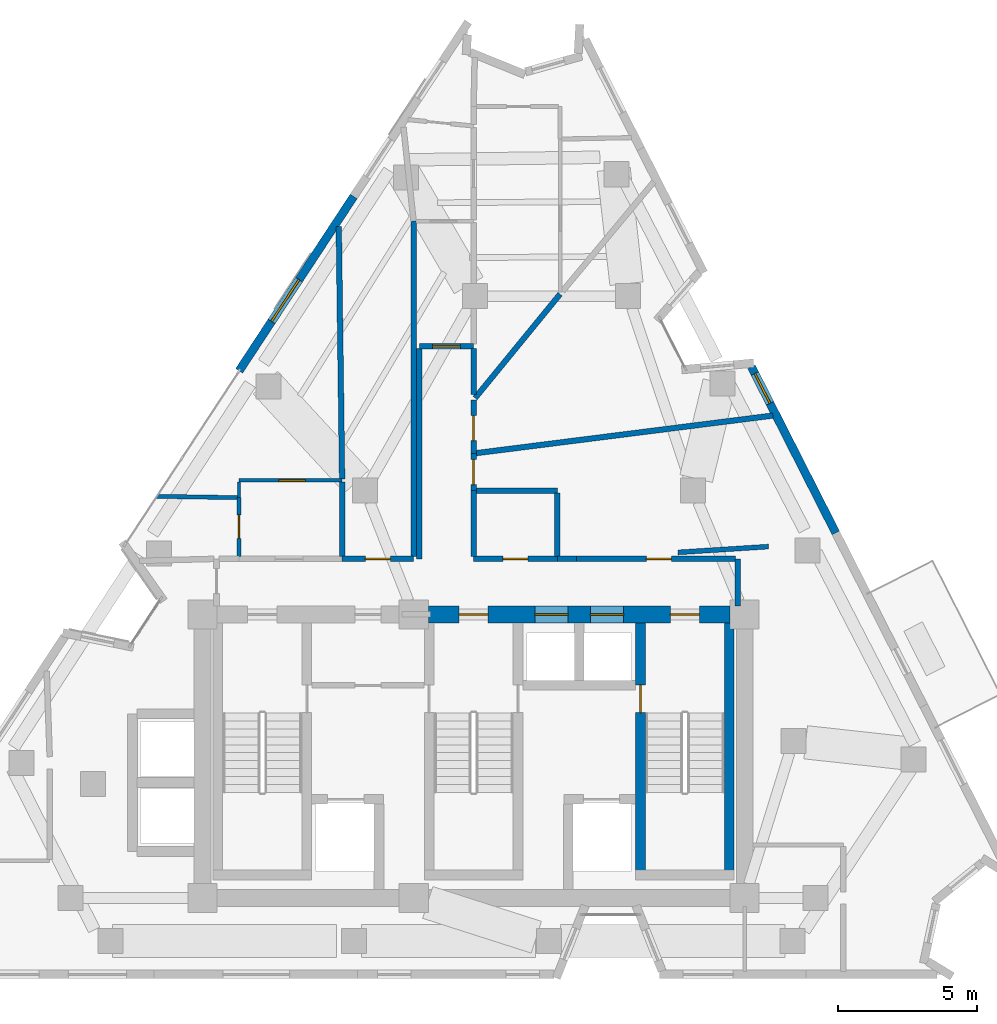
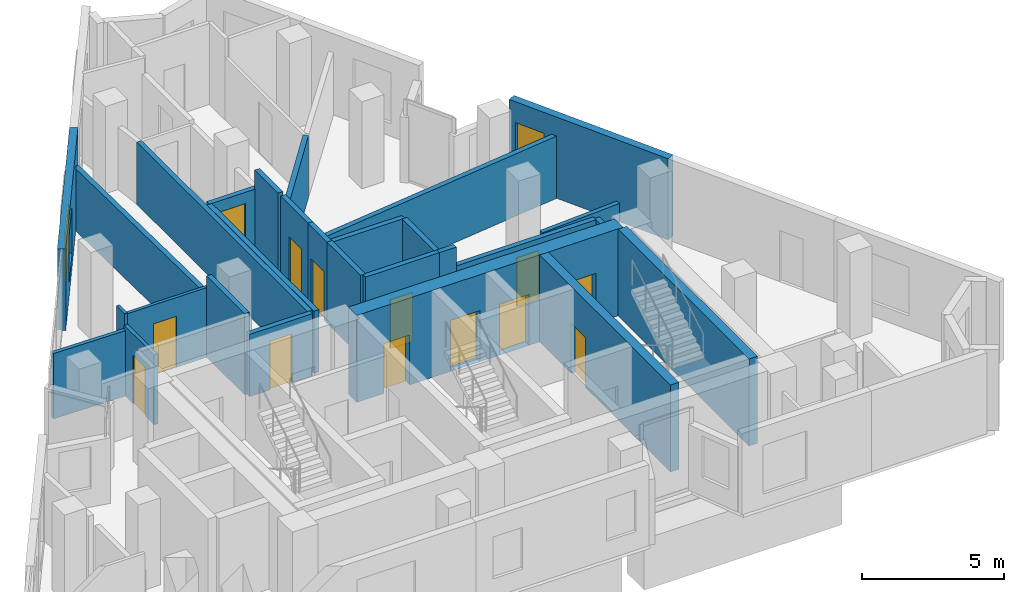
# One storey, part 6 of 10: 28 walls, 13 doors, 2 windows, 15 openings.
"""IFC4 building model written with IfcOpenShell, lengths in metres."""

import ifcopenshell
import ifcopenshell.guid

model = None  # the IFC model being written
_history = None  # IfcOwnerHistory: only IFC2X3 demands one
_inside = {}  # id of a spatial element -> (the spatial element, [elements in it])
_under = {}  # id of a project, library or spatial element -> (it, [spatial elements below it])
_declared = {}  # id of a project -> (the project, [libraries it declares])
_typed = {}  # id of a type object -> (the type object, [elements of that type])
_made_of = {}  # id of a material, layer set ... -> (it, [elements and type objects made of it])


def new_model(schema):
    """Start an empty IFC model of exactly this schema.

    Asked for "IFC4X3", IfcOpenShell would pick the latest addendum, in which some entities
    have other attributes; the version numbers below select the first issue.
    IFC2X3 requires an IfcOwnerHistory on every rooted entity: one is made here for all.
    """
    global model, _history
    if schema == "IFC4X3":
        model = ifcopenshell.file(schema_version=(4, 3, 0, 0))
    else:
        model = ifcopenshell.file(schema=schema)
    _inside.clear()
    _under.clear()
    _declared.clear()
    _typed.clear()
    _made_of.clear()
    _history = None
    if model.schema == "IFC2X3":
        org = make("IfcOrganization", Name="unknown")
        user = make(
            "IfcPersonAndOrganization",
            ThePerson=make("IfcPerson", FamilyName="unknown"),
            TheOrganization=org,
        )
        app = make(
            "IfcApplication",
            ApplicationDeveloper=org,
            Version="unknown",
            ApplicationFullName="unknown",
            ApplicationIdentifier="unknown",
        )
        _history = make(
            "IfcOwnerHistory",
            OwningUser=user,
            OwningApplication=app,
            ChangeAction="ADDED",
            CreationDate=0,
        )
    return model


def make(cls, **values):
    """One entity of the class cls with the attributes given. An attribute that is None is left unset."""
    return model.create_entity(
        cls, **{name: value for name, value in values.items() if value is not None}
    )


def rooted(cls, **values):
    """An entity with a GlobalId (a new one), such as an element, a storey or a relation."""
    return make(cls, GlobalId=ifcopenshell.guid.new(), OwnerHistory=_history, **values)


def si_unit(unit_type, name, prefix=None):
    """IfcSIUnit, for example si_unit("LENGTHUNIT", "METRE", prefix="MILLI")."""
    return make("IfcSIUnit", UnitType=unit_type, Prefix=prefix, Name=name)


def assignment(units):
    """IfcUnitAssignment: the units of a project."""
    return None if units is None else make("IfcUnitAssignment", Units=units)


def point(xyz):
    """IfcCartesianPoint."""
    return None if xyz is None else make("IfcCartesianPoint", Coordinates=xyz)


def direction(xyz):
    """IfcDirection."""
    return None if xyz is None else make("IfcDirection", DirectionRatios=xyz)


def frame(location, z_axis=None, x_axis=None):
    """IfcAxis2Placement3D, a coordinate frame: its origin and axes. An axis left out is left unset."""
    return make(
        "IfcAxis2Placement3D",
        Location=point(location),
        Axis=direction(z_axis),
        RefDirection=direction(x_axis),
    )


def frame_2d(location, x_axis=None):
    """IfcAxis2Placement2D, a coordinate frame in the plane: its origin and x axis."""
    return make(
        "IfcAxis2Placement2D", Location=point(location), RefDirection=direction(x_axis)
    )


def origin():
    """The frame at (0, 0, 0) with its axes left unset."""
    return frame((0.0, 0.0, 0.0))


def place(relative_to, where):
    """IfcLocalPlacement: puts the frame where relative to a parent placement (None: the world)."""
    return make(
        "IfcLocalPlacement", PlacementRelTo=relative_to, RelativePlacement=where
    )


def context(
    kind, dimensions, precision=None, world=None, true_north=None, identifier=None
):
    """IfcGeometricRepresentationContext, for example the 3D "Model" context."""
    return make(
        "IfcGeometricRepresentationContext",
        ContextIdentifier=identifier,
        ContextType=kind,
        CoordinateSpaceDimension=dimensions,
        Precision=precision,
        WorldCoordinateSystem=world,
        TrueNorth=true_north,
    )


def subcontext(parent, identifier, kind, view, scale=None):
    """IfcGeometricRepresentationSubContext, for example "Body" below "Model"."""
    return make(
        "IfcGeometricRepresentationSubContext",
        ContextIdentifier=identifier,
        ContextType=kind,
        ParentContext=parent,
        TargetScale=scale,
        TargetView=view,
    )


def project(units=None, contexts=None):
    """IfcProject with its units and contexts."""
    return rooted(
        "IfcProject",
        Name="project",
        RepresentationContexts=contexts,
        UnitsInContext=assignment(units),
    )


def spatial(cls, under=None, at=None, **own):
    """A site, building, storey or space (cls), placed at a placement, below another one or the project."""
    s = rooted(cls, ObjectPlacement=at, **own)
    if under is not None:
        _under.setdefault(under.id(), (under, []))[1].append(s)
    return s


def profile(cls, at=None, kind="AREA", **sizes):
    """A parametric profile (cls). Its sizes go by their IFC names, for example OverallWidth=200.0."""
    return make(cls, ProfileType=kind, Position=at, **sizes)


def rectangle(**sizes):
    """IfcRectangleProfileDef."""
    return profile("IfcRectangleProfileDef", **sizes)


def extrude(swept, where, along, depth):
    """IfcExtrudedAreaSolid: the profile swept, set in the frame where, extruded along a direction by depth."""
    return make(
        "IfcExtrudedAreaSolid",
        SweptArea=swept,
        Position=where,
        ExtrudedDirection=direction(along),
        Depth=depth,
    )


def shape(context_of_items, identifier, shape_type, items):
    """IfcShapeRepresentation: the items that make up one representation, for example the "Body"."""
    return make(
        "IfcShapeRepresentation",
        ContextOfItems=context_of_items,
        RepresentationIdentifier=identifier,
        RepresentationType=shape_type,
        Items=items,
    )


def material(Name=None, Category=None):
    """IfcMaterial."""
    return make("IfcMaterial", Name=Name, Category=Category)


def layer(
    of_material, thickness, ventilated=None, Name=None, Category=None, Priority=None
):
    """IfcMaterialLayer: one layer of a wall or slab, of a material (None: an air gap)."""
    return make(
        "IfcMaterialLayer",
        Material=of_material,
        LayerThickness=thickness,
        IsVentilated=ventilated,
        Name=Name,
        Category=Category,
        Priority=Priority,
    )


def layer_set(layers, Name=None):
    """IfcMaterialLayerSet."""
    return make("IfcMaterialLayerSet", MaterialLayers=layers, LayerSetName=Name)


def made_of(thing, what):
    """Note that an element or type object is made of a material, layer set ...; save() writes the relation."""
    if what is not None:
        _made_of.setdefault(what.id(), (what, []))[1].append(thing)
    return thing


def type_object(cls, material=None, **own):
    """A type object (cls), such as IfcWallType, which elements share."""
    return made_of(rooted(cls, **own), material)


def element(
    cls,
    number,
    at=None,
    inside=None,
    cuts=None,
    type_object=None,
    material=None,
    context=None,
    identifier="Body",
    shape_type=None,
    held_by="IfcProductDefinitionShape",
    body=None,
    shapes=None,
    **own,
):
    """One element of the class cls, such as IfcWall. Its Tag is "e" and its number.

    at: its placement. inside: the storey or other place that contains it. cuts: it is an
    opening in that element (IfcRelVoidsElement). A single representation is given by context,
    identifier, shape_type and body (its items); several are given by shapes. held_by: the class
    of the entity that holds the representations. save() writes the other relations.
    """
    e = rooted(cls, Tag="e%d" % number, ObjectPlacement=at, **own)
    if body is not None:
        shapes = [shape(context, identifier, shape_type, body)]
    if shapes is not None:
        e.Representation = make(held_by, Representations=shapes)
    if inside is not None:
        _inside.setdefault(inside.id(), (inside, []))[1].append(e)
    if cuts is not None:
        rooted(
            "IfcRelVoidsElement", RelatingBuildingElement=cuts, RelatedOpeningElement=e
        )
    if type_object is not None:
        _typed.setdefault(type_object.id(), (type_object, []))[1].append(e)
    return made_of(e, material)


def fill(opening, filler):
    """IfcRelFillsElement: the door or window that sits in an opening."""
    return rooted(
        "IfcRelFillsElement",
        RelatingOpeningElement=opening,
        RelatedBuildingElement=filler,
    )


def aggregate(whole, parts):
    """IfcRelAggregates: a whole, such as a stair, and the parts it consists of."""
    return rooted("IfcRelAggregates", RelatingObject=whole, RelatedObjects=parts)


def save(model, path):
    """Write the relations noted so far, then the file.

    IfcRelAggregates (storeys below a building ...), IfcRelContainedInSpatialStructure (elements
    in a storey), IfcRelDefinesByType, IfcRelAssociatesMaterial and IfcRelDeclares: one each for
    every whole, place, type object, material and project.
    """
    for whole, parts in _under.values():
        aggregate(whole, parts)
    for where, things in _inside.values():
        rooted(
            "IfcRelContainedInSpatialStructure",
            RelatedElements=things,
            RelatingStructure=where,
        )
    for kind, things in _typed.values():
        rooted("IfcRelDefinesByType", RelatedObjects=things, RelatingType=kind)
    for what, things in _made_of.values():
        rooted("IfcRelAssociatesMaterial", RelatedObjects=things, RelatingMaterial=what)
    for by, libraries in _declared.values():
        rooted("IfcRelDeclares", RelatingContext=by, RelatedDefinitions=libraries)
    model.write(path)


model = new_model("IFC4")

# Units and contexts
model_context = context("Model", 3, precision=1e-05, world=origin(), true_north=direction((0.0, 1.0)))
body_context = subcontext(model_context, "Body", "Model", "MODEL_VIEW")
ifc_project = project(units=[si_unit("LENGTHUNIT", "METRE"), si_unit("AREAUNIT", "SQUARE_METRE"), si_unit("VOLUMEUNIT", "CUBIC_METRE"), si_unit("PLANEANGLEUNIT", "RADIAN"), si_unit("MASSUNIT", "GRAM", prefix="KILO")], contexts=[model_context])

# Site, building, storey
site_placement = place(None, origin())
site = spatial("IfcSite", under=ifc_project, at=site_placement, CompositionType="ELEMENT")
building_placement = place(site_placement, origin())
building = spatial("IfcBuilding", under=site, at=building_placement, Name="Almagre Mirador Tower", CompositionType="ELEMENT")
storey_placement = place(building_placement, frame((0.0, 0.0, 229.5)))
storey = spatial("IfcBuildingStorey", under=building, at=storey_placement, Name="L59", CompositionType="ELEMENT", Elevation=229.5)

# Wall, opening, window
ifc_material_1 = material(Name="Precast concrete C50/60", Category="concrete")
ifc_layer_1 = layer(ifc_material_1, 0.300048828125)
ifc_layer_set_1 = layer_set([ifc_layer_1], Name="Precast concrete C50/60")
wall_type_1 = type_object("IfcWallType", Name="WAL-EXT-300", PredefinedType="SOLIDWALL", material=ifc_layer_set_1)
wall_1_placement = place(storey_placement, frame((28.864013671875, 23.513671875, 0.0), z_axis=(0.0, 0.0, 1.0), x_axis=(0.549033751048, 0.835800179595, 0.0)))
wall_1 = element("IfcWall", 1, at=wall_1_placement, inside=storey, type_object=wall_type_1, Name="L59 expressed almagre precast frame wall 03", PredefinedType="SOLIDWALL", context=body_context, shape_type="SweptSolid", body=[
    extrude(rectangle(XDim=7.50390625, YDim=0.300048828125, at=frame_2d((3.751953125, 0.0))), origin(), (0.0, 0.0, 1.0), 3.5),
])
opening_1_placement = place(wall_1_placement, frame((2.125, 0.0, 0.60009765625)))
opening_1 = element("IfcOpeningElement", 2, at=opening_1_placement, cuts=wall_1, Name="Opening WN-01", PredefinedType="OPENING", context=body_context, shape_type="SweptSolid", body=[
    extrude(rectangle(XDim=1.800048828125, YDim=2.10009765625, at=frame_2d((0.89990234375, 1.050048828125))), frame((0.0, 0.159902, 0.0), z_axis=(0.0, -1.0, 0.0), x_axis=(1.0, 0.0, 0.0)), (0.0, 0.0, 1.0), 0.320049),
])
ifc_material_2 = material(Name="Dark solar-control laminated hurricane glass", Category="glass")
window_type_1 = type_object("IfcWindowType", Name="WIN-1800X2100", PartitioningType="DOUBLE_PANEL_VERTICAL", PredefinedType="WINDOW", material=ifc_material_2)
window_1_placement = place(opening_1_placement, origin())
window_1 = element("IfcWindow", 3, at=window_1_placement, inside=storey, type_object=window_type_1, Name="L59 recessed hurricane window L59-UF-KT", OverallHeight=2.10009765625, OverallWidth=1.800048828125, PartitioningType="SINGLE_PANEL", PredefinedType="WINDOW", context=body_context, shape_type="SweptSolid", body=[
    extrude(rectangle(XDim=1.800048828125, YDim=2.10009765625, at=frame_2d((0.89990234375, 1.050048828125))), frame((0.0, 0.030029296875, 0.0), z_axis=(0.0, -1.0, 0.0), x_axis=(1.0, 0.0, 0.0)), (0.0, 0.0, 1.0), 0.06005859375),
])
fill(opening_1, window_1)

wall_2_placement = place(storey_placement, frame((47.29736328125, 23.65625, 0.0), z_axis=(0.0, 0.0, 1.0), x_axis=(0.452876034441, -0.891573495248, 0.0)))
wall_2 = element("IfcWall", 4, at=wall_2_placement, inside=storey, type_object=wall_type_1, Name="L59 expressed almagre precast frame wall 13", PredefinedType="SOLIDWALL", context=body_context, shape_type="SweptSolid", body=[
    extrude(rectangle(XDim=6.6982421875, YDim=0.300048828125, at=frame_2d((3.34912109375, 0.0))), origin(), (0.0, 0.0, 1.0), 3.5),
])
opening_2_placement = place(wall_2_placement, frame((0.27001953125, 0.0, 0.800048828125)))
opening_2 = element("IfcOpeningElement", 5, at=opening_2_placement, cuts=wall_2, Name="Opening WN-04", PredefinedType="OPENING", context=body_context, shape_type="SweptSolid", body=[
    extrude(rectangle(XDim=1.199951171875, YDim=1.800048828125, at=frame_2d((0.60009765625, 0.89990234375))), frame((0.0, 0.159902, 0.0), z_axis=(0.0, -1.0, 0.0), x_axis=(1.0, 0.0, 0.0)), (0.0, 0.0, 1.0), 0.320049),
])
ifc_material_3 = material(Name="Dark solar-control laminated hurricane glass", Category="glass")
window_type_2 = type_object("IfcWindowType", Name="WIN-1200X1800", PartitioningType="SINGLE_PANEL", PredefinedType="WINDOW", material=ifc_material_3)
window_2_placement = place(opening_2_placement, origin())
window_2 = element("IfcWindow", 6, at=window_2_placement, inside=storey, type_object=window_type_2, Name="L59 recessed hurricane window L59-RST-J", OverallHeight=1.800048828125, OverallWidth=1.199951171875, PartitioningType="SINGLE_PANEL", PredefinedType="WINDOW", context=body_context, shape_type="SweptSolid", body=[
    extrude(rectangle(XDim=1.199951171875, YDim=1.800048828125, at=frame_2d((0.60009765625, 0.89990234375))), frame((0.0, 0.030029296875, 0.0), z_axis=(0.0, -1.0, 0.0), x_axis=(1.0, 0.0, 0.0)), (0.0, 0.0, 1.0), 0.06005859375),
])
fill(opening_2, window_2)

# Wall, opening, door
ifc_material_4 = material(Name="Gypsum acoustic stud partition", Category="other")
ifc_layer_2 = layer(ifc_material_4, 0.125)
ifc_layer_set_2 = layer_set([ifc_layer_2], Name="Gypsum acoustic stud partition")
wall_type_2 = type_object("IfcWallType", Name="WAL-PRT-125-UTL", PredefinedType="PARTITIONING", material=ifc_layer_set_2)
wall_3_placement = place(storey_placement, frame((32.570068359375, 19.570068359375, 0.0), z_axis=(0.0, 0.0, 1.0), x_axis=(-1.0, 0.0, 0.0)))
wall_3 = element("IfcWall", 7, at=wall_3_placement, inside=storey, type_object=wall_type_2, Name="L59 interior partition 033", PredefinedType="PARTITIONING", context=body_context, shape_type="SweptSolid", body=[
    extrude(rectangle(XDim=3.7099609375, YDim=0.125, at=frame_2d((1.85498046875, 0.0))), origin(), (0.0, 0.0, 1.0), 3.010009765625),
])
opening_3_placement = place(wall_3_placement, frame((1.321044921875, 0.0, 0.0)))
opening_3 = element("IfcOpeningElement", 8, at=opening_3_placement, cuts=wall_3, Name="Opening UD-01", PredefinedType="OPENING", context=body_context, shape_type="SweptSolid", body=[
    extrude(rectangle(XDim=0.949951171875, YDim=2.199951171875, at=frame_2d((0.47509765625, 1.10009765625))), frame((0.0, 0.0725, 0.0), z_axis=(0.0, -1.0, 0.0), x_axis=(1.0, 0.0, 0.0)), (0.0, 0.0, 1.0), 0.145),
])
ifc_material_5 = material(Name="Solid American walnut timber", Category="wood")
door_type_1 = type_object("IfcDoorType", Name="DOR-UNR-950X2200", OperationType="NOTDEFINED", PredefinedType="DOOR", material=ifc_material_5)
door_1_placement = place(opening_3_placement, origin())
door_1 = element("IfcDoor", 9, at=door_1_placement, inside=storey, type_object=door_type_1, Name="DR-1817 L59 interior door L59-UF-ST to L59-UF-KT", OperationType="SINGLE_SWING_RIGHT", OverallHeight=2.199951171875, OverallWidth=0.949951171875, PredefinedType="DOOR", context=body_context, shape_type="SweptSolid", body=[
    extrude(rectangle(XDim=0.949951171875, YDim=2.199951171875, at=frame_2d((0.47509765625, 1.10009765625))), frame((0.0, 0.02490234375, 0.0), z_axis=(0.0, -1.0, 0.0), x_axis=(1.0, 0.0, 0.0)), (0.0, 0.0, 1.0), 0.050048828125),
])
fill(opening_3, door_1)

# Wall
wall_4_placement = place(storey_placement, frame((28.860107421875, 19.5224609375, 0.0), z_axis=(0.0, 0.0, 1.0), x_axis=(0.0, -1.0, 0.0)))
element("IfcWall", 10, at=wall_4_placement, inside=storey, type_object=wall_type_2, Name="L59 interior partition 034", PredefinedType="PARTITIONING", context=body_context, shape_type="SweptSolid", body=[
    extrude(rectangle(XDim=0.572509765625, YDim=0.125, at=frame_2d((0.2861328125, 0.0))), origin(), (0.0, 0.0, 1.0), 3.5),
])

# Wall, opening, door
ifc_material_6 = material(Name="Gypsum acoustic stud partition", Category="other")
ifc_layer_3 = layer(ifc_material_6, 0.14990234375)
ifc_layer_set_3 = layer_set([ifc_layer_3], Name="Gypsum acoustic stud partition")
wall_type_3 = type_object("IfcWallType", Name="WAL-PRT-150-STD", PredefinedType="PARTITIONING", material=ifc_layer_set_3)
wall_5_placement = place(storey_placement, frame((28.860107421875, 18.949951171875, 0.0), z_axis=(0.0, 0.0, 1.0), x_axis=(0.0, -1.0, 0.0)))
wall_5 = element("IfcWall", 11, at=wall_5_placement, inside=storey, type_object=wall_type_3, Name="L59 interior partition 035", PredefinedType="PARTITIONING", context=body_context, shape_type="SweptSolid", body=[
    extrude(rectangle(XDim=2.114990234375, YDim=0.14990234375, at=frame_2d((1.0576171875, 0.0))), origin(), (0.0, 0.0, 1.0), 3.010009765625),
])
opening_4_placement = place(wall_5_placement, frame((0.615478515625, 0.0, 0.0)))
opening_4 = element("IfcOpeningElement", 12, at=opening_4_placement, cuts=wall_5, Name="Opening UD-04", PredefinedType="OPENING", context=body_context, shape_type="SweptSolid", body=[
    extrude(rectangle(XDim=0.85009765625, YDim=2.10009765625, at=frame_2d((0.425048828125, 1.050048828125))), frame((0.0, 0.084951, 0.0), z_axis=(0.0, -1.0, 0.0), x_axis=(1.0, 0.0, 0.0)), (0.0, 0.0, 1.0), 0.169902),
])
ifc_material_7 = material(Name="Moisture-resistant oak timber", Category="wood")
door_type_2 = type_object("IfcDoorType", Name="DOR-UNR-850X2100", OperationType="NOTDEFINED", PredefinedType="DOOR", material=ifc_material_7)
door_2_placement = place(opening_4_placement, origin())
door_2 = element("IfcDoor", 13, at=door_2_placement, inside=storey, type_object=door_type_2, Name="DR-1818 L59 interior door L59-UF-ST to L59-UF-BT", OperationType="SINGLE_SWING_LEFT", OverallHeight=2.10009765625, OverallWidth=0.85009765625, PredefinedType="DOOR", context=body_context, shape_type="SweptSolid", body=[
    extrude(rectangle(XDim=0.85009765625, YDim=2.10009765625, at=frame_2d((0.425048828125, 1.050048828125))), frame((0.0, 0.02490234375, 0.0), z_axis=(0.0, -1.0, 0.0), x_axis=(1.0, 0.0, 0.0)), (0.0, 0.0, 1.0), 0.050048828125),
])
fill(opening_4, door_2)

# Walls
wall_6_placement = place(storey_placement, frame((25.89697265625, 18.998046875, 0.0), z_axis=(0.0, 0.0, 1.0), x_axis=(0.999868073093, -0.016243041884, 0.0)))
element("IfcWall", 14, at=wall_6_placement, inside=storey, type_object=wall_type_3, Name="L59 interior partition 037", PredefinedType="PARTITIONING", context=body_context, shape_type="SweptSolid", body=[
    extrude(rectangle(XDim=2.916015625, YDim=0.14990234375, at=frame_2d((1.4580078125, 0.0))), origin(), (0.0, 0.0, 1.0), 2.820068359375),
])
ifc_material_8 = material(Name="Gypsum acoustic stud partition", Category="other")
ifc_layer_4 = layer(ifc_material_8, 0.175048828125)
ifc_layer_set_4 = layer_set([ifc_layer_4], Name="Gypsum acoustic stud partition")
wall_type_4 = type_object("IfcWallType", Name="WAL-PRT-175-AC", PredefinedType="PARTITIONING", material=ifc_layer_set_4)
wall_7_placement = place(storey_placement, frame((47.909912109375, 17.18994140625, 0.0), z_axis=(0.0, 0.0, 1.0), x_axis=(-0.997965437451, -0.063757240005, 0.0)))
element("IfcWall", 15, at=wall_7_placement, inside=storey, type_object=wall_type_4, Name="L59 interior partition 057", PredefinedType="PARTITIONING", context=body_context, shape_type="SweptSolid", body=[
    extrude(rectangle(XDim=3.262451171875, YDim=0.175048828125, at=frame_2d((1.63134765625, 0.0))), origin(), (0.0, 0.0, 1.0), 2.68505859375),
])
ifc_material_9 = material(Name="Gypsum acoustic stud partition", Category="other")
ifc_layer_5 = layer(ifc_material_9, 0.199951171875)
ifc_layer_set_5 = layer_set([ifc_layer_5], Name="Gypsum acoustic stud partition")
wall_type_5 = type_object("IfcWallType", Name="WAL-PRT-200-EI60", PredefinedType="PARTITIONING", material=ifc_layer_set_5)
wall_8_placement = place(storey_placement, frame((46.800048828125, 15.050048828125, 0.0), z_axis=(0.0, 0.0, 1.0), x_axis=(0.0, 1.0, 0.0)))
element("IfcWall", 16, at=wall_8_placement, inside=storey, type_object=wall_type_5, Name="L59 interior partition 002", PredefinedType="PARTITIONING", context=body_context, shape_type="SweptSolid", body=[
    extrude(rectangle(XDim=1.699951171875, YDim=0.199951171875, at=frame_2d((0.85009765625, 0.0))), origin(), (0.0, 0.0, 1.0), 2.68505859375),
])

# Wall, opening, door
wall_9_placement = place(storey_placement, frame((46.715087890625, 16.75, 0.0), z_axis=(0.0, 0.0, 1.0), x_axis=(-1.0, 0.0, 0.0)))
wall_9 = element("IfcWall", 17, at=wall_9_placement, inside=storey, type_object=wall_type_5, Name="L59 interior partition 003", PredefinedType="PARTITIONING", context=body_context, shape_type="SweptSolid", body=[
    extrude(rectangle(XDim=5.705078125, YDim=0.199951171875, at=frame_2d((2.8525390625, 0.0))), origin(), (0.0, 0.0, 1.0), 2.68505859375),
])
opening_5_placement = place(wall_9_placement, frame((2.30078125, 0.0, 0.0)))
opening_5 = element("IfcOpeningElement", 18, at=opening_5_placement, cuts=wall_9, Name="Opening ID-03", PredefinedType="OPENING", context=body_context, shape_type="SweptSolid", body=[
    extrude(rectangle(XDim=0.89990234375, YDim=2.10009765625, at=frame_2d((0.449951171875, 1.050048828125))), frame((0.0, 0.110098, 0.0), z_axis=(0.0, -1.0, 0.0), x_axis=(1.0, 0.0, 0.0)), (0.0, 0.0, 1.0), 0.219951),
])
ifc_material_10 = material(Name="Fire-rated hollow steel", Category="steel")
door_type_3 = type_object("IfcDoorType", Name="DOR-FD60-900X2100", OperationType="NOTDEFINED", PredefinedType="DOOR", material=ifc_material_10)
door_3_placement = place(opening_5_placement, origin())
door_3 = element("IfcDoor", 19, at=door_3_placement, inside=storey, type_object=door_type_3, Name="DR-1812 L59 interior door L59-RCOR to L59-RST-E", OperationType="SINGLE_SWING_LEFT", OverallHeight=2.10009765625, OverallWidth=0.89990234375, PredefinedType="DOOR", context=body_context, shape_type="SweptSolid", body=[
    extrude(rectangle(XDim=0.89990234375, YDim=2.10009765625, at=frame_2d((0.449951171875, 1.050048828125))), frame((0.0, 0.02490234375, 0.0), z_axis=(0.0, -1.0, 0.0), x_axis=(1.0, 0.0, 0.0)), (0.0, 0.0, 1.0), 0.050048828125),
])
fill(opening_5, door_3)

wall_10_placement = place(storey_placement, frame((40.31005859375, 16.75, 0.0), z_axis=(0.0, 0.0, 1.0), x_axis=(-1.0, 0.0, 0.0)))
wall_10 = element("IfcWall", 20, at=wall_10_placement, inside=storey, type_object=wall_type_5, Name="L59 interior partition 006", PredefinedType="PARTITIONING", context=body_context, shape_type="SweptSolid", body=[
    extrude(rectangle(XDim=3.010009765625, YDim=0.199951171875, at=frame_2d((1.5048828125, 0.0))), origin(), (0.0, 0.0, 1.0), 3.5),
])
opening_6_placement = place(wall_10_placement, frame((1.054931640625, 0.0, 0.0)))
opening_6 = element("IfcOpeningElement", 21, at=opening_6_placement, cuts=wall_10, Name="Opening ID-03", PredefinedType="OPENING", context=body_context, shape_type="SweptSolid", body=[
    extrude(rectangle(XDim=0.89990234375, YDim=2.10009765625, at=frame_2d((0.449951171875, 1.050048828125))), frame((0.0, 0.110098, 0.0), z_axis=(0.0, -1.0, 0.0), x_axis=(1.0, 0.0, 0.0)), (0.0, 0.0, 1.0), 0.219951),
])
door_4_placement = place(opening_6_placement, origin())
door_4 = element("IfcDoor", 22, at=door_4_placement, inside=storey, type_object=door_type_3, Name="DR-1815 L59 interior door L59-RCOR to L59-UG-ST", OperationType="SINGLE_SWING_RIGHT", OverallHeight=2.10009765625, OverallWidth=0.89990234375, PredefinedType="DOOR", context=body_context, shape_type="SweptSolid", body=[
    extrude(rectangle(XDim=0.89990234375, YDim=2.10009765625, at=frame_2d((0.449951171875, 1.050048828125))), frame((0.0, 0.02490234375, 0.0), z_axis=(0.0, -1.0, 0.0), x_axis=(1.0, 0.0, 0.0)), (0.0, 0.0, 1.0), 0.050048828125),
])
fill(opening_6, door_4)

# Wall
wall_11_placement = place(storey_placement, frame((37.300048828125, 16.8349609375, 0.0), z_axis=(0.0, 0.0, 1.0), x_axis=(0.0, 1.0, 0.0)))
element("IfcWall", 23, at=wall_11_placement, inside=storey, type_object=wall_type_5, Name="L59 interior partition 007", PredefinedType="PARTITIONING", context=body_context, shape_type="SweptSolid", body=[
    extrude(rectangle(XDim=2.364990234375, YDim=0.199951171875, at=frame_2d((1.1826171875, 0.0))), origin(), (0.0, 0.0, 1.0), 3.5),
])

# Wall, opening, door
wall_12_placement = place(storey_placement, frame((37.300048828125, 19.199951171875, 0.0), z_axis=(0.0, 0.0, 1.0), x_axis=(0.0, 1.0, 0.0)))
wall_12 = element("IfcWall", 24, at=wall_12_placement, inside=storey, type_object=wall_type_5, Name="L59 interior partition 008", PredefinedType="PARTITIONING", context=body_context, shape_type="SweptSolid", body=[
    extrude(rectangle(XDim=1.340087890625, YDim=0.199951171875, at=frame_2d((0.669921875, 0.0))), origin(), (0.0, 0.0, 1.0), 3.5),
])
opening_7_placement = place(wall_12_placement, frame((0.219970703125, 0.0, 0.0)))
opening_7 = element("IfcOpeningElement", 25, at=opening_7_placement, cuts=wall_12, Name="Opening ID-03", PredefinedType="OPENING", context=body_context, shape_type="SweptSolid", body=[
    extrude(rectangle(XDim=0.89990234375, YDim=2.10009765625, at=frame_2d((0.449951171875, 1.050048828125))), frame((0.0, 0.110098, 0.0), z_axis=(0.0, -1.0, 0.0), x_axis=(1.0, 0.0, 0.0)), (0.0, 0.0, 1.0), 0.219951),
])
door_5_placement = place(opening_7_placement, origin())
door_5 = element("IfcDoor", 26, at=door_5_placement, inside=storey, type_object=door_type_3, Name="DR-1819 L59 interior door L59-RCOR to L59-UG-KT", OperationType="SINGLE_SWING_LEFT", OverallHeight=2.10009765625, OverallWidth=0.89990234375, PredefinedType="DOOR", context=body_context, shape_type="SweptSolid", body=[
    extrude(rectangle(XDim=0.89990234375, YDim=2.10009765625, at=frame_2d((0.449951171875, 1.050048828125))), frame((0.0, 0.02490234375, 0.0), z_axis=(0.0, -1.0, 0.0), x_axis=(1.0, 0.0, 0.0)), (0.0, 0.0, 1.0), 0.050048828125),
])
fill(opening_7, door_5)

# Wall
wall_13_placement = place(storey_placement, frame((41.0, 16.75, 0.0), z_axis=(0.0, 0.0, 1.0), x_axis=(-1.0, 0.0, 0.0)))
element("IfcWall", 27, at=wall_13_placement, inside=storey, type_object=wall_type_5, Name="L59 interior partition 009", PredefinedType="PARTITIONING", context=body_context, shape_type="SweptSolid", body=[
    extrude(rectangle(XDim=0.68994140625, YDim=0.199951171875, at=frame_2d((0.344970703125, 0.0))), origin(), (0.0, 0.0, 1.0), 3.5),
])

# Wall, opening, door
wall_14_placement = place(storey_placement, frame((35.139892578125, 16.75, 0.0), z_axis=(0.0, 0.0, 1.0), x_axis=(-1.0, 0.0, 0.0)))
wall_14 = element("IfcWall", 28, at=wall_14_placement, inside=storey, type_object=wall_type_5, Name="L59 interior partition 010", PredefinedType="PARTITIONING", context=body_context, shape_type="SweptSolid", body=[
    extrude(rectangle(XDim=2.56982421875, YDim=0.199951171875, at=frame_2d((1.284912109375, 0.0))), origin(), (0.0, 0.0, 1.0), 2.68505859375),
])
opening_8_placement = place(wall_14_placement, frame((0.8349609375, 0.0, 0.0)))
opening_8 = element("IfcOpeningElement", 29, at=opening_8_placement, cuts=wall_14, Name="Opening ID-03", PredefinedType="OPENING", context=body_context, shape_type="SweptSolid", body=[
    extrude(rectangle(XDim=0.89990234375, YDim=2.10009765625, at=frame_2d((0.449951171875, 1.050048828125))), frame((0.0, 0.110098, 0.0), z_axis=(0.0, -1.0, 0.0), x_axis=(1.0, 0.0, 0.0)), (0.0, 0.0, 1.0), 0.219951),
])
door_6_placement = place(opening_8_placement, origin())
door_6 = element("IfcDoor", 30, at=door_6_placement, inside=storey, type_object=door_type_3, Name="DR-1813 L59 interior door L59-RCOR to L59-RST-H", OperationType="SINGLE_SWING_RIGHT", OverallHeight=2.10009765625, OverallWidth=0.89990234375, PredefinedType="DOOR", context=body_context, shape_type="SweptSolid", body=[
    extrude(rectangle(XDim=0.89990234375, YDim=2.10009765625, at=frame_2d((0.449951171875, 1.050048828125))), frame((0.0, 0.02490234375, 0.0), z_axis=(0.0, -1.0, 0.0), x_axis=(1.0, 0.0, 0.0)), (0.0, 0.0, 1.0), 0.050048828125),
])
fill(opening_8, door_6)

wall_15_placement = place(storey_placement, frame((37.300048828125, 20.5400390625, 0.0), z_axis=(0.0, 0.0, 1.0), x_axis=(0.0, 1.0, 0.0)))
wall_15 = element("IfcWall", 31, at=wall_15_placement, inside=storey, type_object=wall_type_5, Name="L59 interior partition 011", PredefinedType="PARTITIONING", context=body_context, shape_type="SweptSolid", body=[
    extrude(rectangle(XDim=1.929931640625, YDim=0.199951171875, at=frame_2d((0.96484375, 0.0))), origin(), (0.0, 0.0, 1.0), 3.5),
])
opening_9_placement = place(wall_15_placement, frame((0.46142578125, 0.0, 0.0)))
opening_9 = element("IfcOpeningElement", 32, at=opening_9_placement, cuts=wall_15, Name="Opening ID-03", PredefinedType="OPENING", context=body_context, shape_type="SweptSolid", body=[
    extrude(rectangle(XDim=0.89990234375, YDim=2.10009765625, at=frame_2d((0.449951171875, 1.050048828125))), frame((0.0, 0.110098, 0.0), z_axis=(0.0, -1.0, 0.0), x_axis=(1.0, 0.0, 0.0)), (0.0, 0.0, 1.0), 0.219951),
])
door_7_placement = place(opening_9_placement, origin())
door_7 = element("IfcDoor", 33, at=door_7_placement, inside=storey, type_object=door_type_3, Name="DR-1814 L59 interior door L59-RCOR to L59-RST-J", OperationType="SINGLE_SWING_LEFT", OverallHeight=2.10009765625, OverallWidth=0.89990234375, PredefinedType="DOOR", context=body_context, shape_type="SweptSolid", body=[
    extrude(rectangle(XDim=0.89990234375, YDim=2.10009765625, at=frame_2d((0.449951171875, 1.050048828125))), frame((0.0, 0.02490234375, 0.0), z_axis=(0.0, -1.0, 0.0), x_axis=(1.0, 0.0, 0.0)), (0.0, 0.0, 1.0), 0.050048828125),
])
fill(opening_9, door_7)

wall_16_placement = place(storey_placement, frame((37.300048828125, 24.39990234375, 0.0), z_axis=(0.0, 0.0, 1.0), x_axis=(-1.0, 0.0, 0.0)))
wall_16 = element("IfcWall", 34, at=wall_16_placement, inside=storey, type_object=wall_type_5, Name="L59 interior partition 012", PredefinedType="PARTITIONING", context=body_context, shape_type="SweptSolid", body=[
    extrude(rectangle(XDim=1.949951171875, YDim=0.199951171875, at=frame_2d((0.97509765625, 0.0))), origin(), (0.0, 0.0, 1.0), 2.68505859375),
])
opening_10_placement = place(wall_16_placement, frame((0.47509765625, 0.0, 0.0)))
opening_10 = element("IfcOpeningElement", 35, at=opening_10_placement, cuts=wall_16, Name="Opening ID-01", PredefinedType="OPENING", context=body_context, shape_type="SweptSolid", body=[
    extrude(rectangle(XDim=1.0, YDim=2.199951171875, at=frame_2d((0.5, 1.10009765625))), frame((0.0, 0.110098, 0.0), z_axis=(0.0, -1.0, 0.0), x_axis=(1.0, 0.0, 0.0)), (0.0, 0.0, 1.0), 0.219951),
])
ifc_material_11 = material(Name="Fire-rated walnut timber", Category="wood")
door_type_4 = type_object("IfcDoorType", Name="DOR-FD60-1000X2200", OperationType="NOTDEFINED", PredefinedType="DOOR", material=ifc_material_11)
door_8_placement = place(opening_10_placement, origin())
door_8 = element("IfcDoor", 36, at=door_8_placement, inside=storey, type_object=door_type_4, Name="DR-1820 L59 interior door L59-RCOR to L59-UK-ST", OperationType="SINGLE_SWING_RIGHT", OverallHeight=2.199951171875, OverallWidth=1.0, PredefinedType="DOOR", context=body_context, shape_type="SweptSolid", body=[
    extrude(rectangle(XDim=1.0, YDim=2.199951171875, at=frame_2d((0.5, 1.10009765625))), frame((0.0, 0.02490234375, 0.0), z_axis=(0.0, -1.0, 0.0), x_axis=(1.0, 0.0, 0.0)), (0.0, 0.0, 1.0), 0.050048828125),
])
fill(opening_10, door_8)

# Walls
wall_17_placement = place(storey_placement, frame((35.35009765625, 24.31494140625, 0.0), z_axis=(0.0, 0.0, 1.0), x_axis=(0.0, -1.0, 0.0)))
element("IfcWall", 37, at=wall_17_placement, inside=storey, type_object=wall_type_5, Name="L59 interior partition 013", PredefinedType="PARTITIONING", context=body_context, shape_type="SweptSolid", body=[
    extrude(rectangle(XDim=7.56494140625, YDim=0.199951171875, at=frame_2d((3.782470703125, 0.0))), origin(), (0.0, 0.0, 1.0), 2.68505859375),
])
wall_18_placement = place(storey_placement, frame((37.300048828125, 22.669921875, 0.0), z_axis=(0.0, 0.0, 1.0), x_axis=(0.0, 1.0, 0.0)))
element("IfcWall", 38, at=wall_18_placement, inside=storey, type_object=wall_type_5, Name="L59 interior partition 014", PredefinedType="PARTITIONING", context=body_context, shape_type="SweptSolid", body=[
    extrude(rectangle(XDim=1.64501953125, YDim=0.199951171875, at=frame_2d((0.822509765625, 0.0))), origin(), (0.0, 0.0, 1.0), 3.5),
])
wall_19_placement = place(storey_placement, frame((32.570068359375, 16.8349609375, 0.0), z_axis=(0.0, 0.0, 1.0), x_axis=(0.0, 1.0, 0.0)))
element("IfcWall", 39, at=wall_19_placement, inside=storey, type_object=wall_type_5, Name="L59 interior partition 036", PredefinedType="PARTITIONING", context=body_context, shape_type="SweptSolid", body=[
    extrude(rectangle(XDim=2.6875, YDim=0.199951171875, at=frame_2d((1.34375, 0.0))), origin(), (0.0, 0.0, 1.0), 3.5),
])
wall_20_placement = place(storey_placement, frame((32.569580078125, 19.617431640625, 0.0), z_axis=(0.0, 0.0, 1.0), x_axis=(-0.013267344969, 0.999911984905, 0.0)))
element("IfcWall", 40, at=wall_20_placement, inside=storey, type_object=wall_type_5, Name="L59 interior partition 038", PredefinedType="PARTITIONING", context=body_context, shape_type="SweptSolid", body=[
    extrude(rectangle(XDim=9.09033203125, YDim=0.199951171875, at=frame_2d((4.545166015625, 0.0))), origin(), (0.0, 0.0, 1.0), 2.68505859375),
])
wall_21_placement = place(storey_placement, frame((40.31005859375, 19.199951171875, 0.0), z_axis=(0.0, 0.0, 1.0), x_axis=(-1.0, 0.0, 0.0)))
element("IfcWall", 41, at=wall_21_placement, inside=storey, type_object=wall_type_5, Name="L59 interior partition 039", PredefinedType="PARTITIONING", context=body_context, shape_type="SweptSolid", body=[
    extrude(rectangle(XDim=2.925048828125, YDim=0.199951171875, at=frame_2d((1.46240234375, 0.0))), origin(), (0.0, 0.0, 1.0), 3.5),
])
wall_22_placement = place(storey_placement, frame((40.31005859375, 16.8349609375, 0.0), z_axis=(0.0, 0.0, 1.0), x_axis=(0.0, 1.0, 0.0)))
element("IfcWall", 42, at=wall_22_placement, inside=storey, type_object=wall_type_5, Name="L59 interior partition 040", PredefinedType="PARTITIONING", context=body_context, shape_type="SweptSolid", body=[
    extrude(rectangle(XDim=2.280029296875, YDim=0.199951171875, at=frame_2d((1.14013671875, 0.0))), origin(), (0.0, 0.0, 1.0), 3.5),
])
wall_23_placement = place(storey_placement, frame((48.06689453125, 21.904052734375, 0.0), z_axis=(0.0, 0.0, 1.0), x_axis=(-0.992068591321, -0.125697693351, 0.0)))
element("IfcWall", 43, at=wall_23_placement, inside=storey, type_object=wall_type_5, Name="L59 interior partition 042", PredefinedType="PARTITIONING", context=body_context, shape_type="SweptSolid", body=[
    extrude(rectangle(XDim=10.76806640625, YDim=0.199951171875, at=frame_2d((5.384033203125, 0.0))), origin(), (0.0, 0.0, 1.0), 2.68505859375),
])
wall_24_placement = place(storey_placement, frame((35.139892578125, 16.8349609375, 0.0), z_axis=(0.0, 0.0, 1.0), x_axis=(0.0, 1.0, 0.0)))
element("IfcWall", 44, at=wall_24_placement, inside=storey, type_object=wall_type_5, Name="L59 interior partition 043", PredefinedType="PARTITIONING", context=body_context, shape_type="SweptSolid", body=[
    extrude(rectangle(XDim=12.06494140625, YDim=0.199951171875, at=frame_2d((6.032470703125, 0.0))), origin(), (0.0, 0.0, 1.0), 2.68505859375),
])
wall_25_placement = place(storey_placement, frame((40.409912109375, 26.27001953125, 0.0), z_axis=(0.0, 0.0, 1.0), x_axis=(-0.633356256794, -0.773860356899, 0.0)))
element("IfcWall", 45, at=wall_25_placement, inside=storey, type_object=wall_type_5, Name="L59 interior partition 045", PredefinedType="PARTITIONING", context=body_context, shape_type="SweptSolid", body=[
    extrude(rectangle(XDim=4.825439453125, YDim=0.199951171875, at=frame_2d((2.41259765625, 0.0))), origin(), (0.0, 0.0, 1.0), 2.68505859375),
])

# Wall, opening, door
ifc_material_12 = material(Name="Concrete C60/75", Category="concrete")
ifc_layer_6 = layer(ifc_material_12, 0.35009765625)
ifc_layer_set_6 = layer_set([ifc_layer_6], Name="Concrete C60/75")
wall_type_6 = type_object("IfcWallType", Name="WAL-SHF-350", PredefinedType="SOLIDWALL", material=ifc_layer_set_6)
wall_26_placement = place(storey_placement, frame((43.300048828125, 5.199951171875, 0.0), z_axis=(0.0, 0.0, 1.0), x_axis=(0.0, 1.0, 0.0)))
wall_26 = element("IfcWall", 46, at=wall_26_placement, inside=storey, type_object=wall_type_6, Name="L59 shaft wall ST3-W", PredefinedType="SOLIDWALL", context=body_context, shape_type="SweptSolid", body=[
    extrude(rectangle(XDim=9.25, YDim=0.35009765625, at=frame_2d((4.625, 0.0))), origin(), (0.0, 0.0, 1.0), 3.75),
])
opening_11_placement = place(wall_26_placement, frame((6.02001953125, 0.0, 0.0)))
opening_11 = element("IfcOpeningElement", 47, at=opening_11_placement, cuts=wall_26, Name="Opening FD-01", PredefinedType="OPENING", context=body_context, shape_type="SweptSolid", body=[
    extrude(rectangle(XDim=1.0, YDim=2.14990234375, at=frame_2d((0.5, 1.074951171875))), frame((0.0, 0.185049, 0.0), z_axis=(0.0, -1.0, 0.0), x_axis=(1.0, 0.0, 0.0)), (0.0, 0.0, 1.0), 0.370098),
])
ifc_material_13 = material(Name="Fire-rated hollow steel", Category="steel")
door_type_5 = type_object("IfcDoorType", Name="DOR-FFL-1000X2150", OperationType="NOTDEFINED", PredefinedType="DOOR", material=ifc_material_13)
door_9_placement = place(opening_11_placement, origin())
door_9 = element("IfcDoor", 48, at=door_9_placement, inside=storey, type_object=door_type_5, Name="DR-1810 L59 FFL2-ST3 smokeproof door", OperationType="SINGLE_SWING_LEFT", OverallHeight=2.14990234375, OverallWidth=1.0, PredefinedType="DOOR", context=body_context, shape_type="SweptSolid", body=[
    extrude(rectangle(XDim=1.0, YDim=2.14990234375, at=frame_2d((0.5, 1.074951171875))), frame((0.0, 0.02490234375, 0.0), z_axis=(0.0, -1.0, 0.0), x_axis=(1.0, 0.0, 0.0)), (0.0, 0.0, 1.0), 0.050048828125),
])
fill(opening_11, door_9)

# Wall
wall_27_placement = place(storey_placement, frame((46.5, 5.199951171875, 0.0), z_axis=(0.0, 0.0, 1.0), x_axis=(0.0, 1.0, 0.0)))
element("IfcWall", 49, at=wall_27_placement, inside=storey, type_object=wall_type_6, Name="L59 shaft wall ST3-E", PredefinedType="SOLIDWALL", context=body_context, shape_type="SweptSolid", body=[
    extrude(rectangle(XDim=9.25, YDim=0.35009765625, at=frame_2d((4.625, 0.0))), origin(), (0.0, 0.0, 1.0), 3.75),
])

# Wall, openings, doors
ifc_material_14 = material(Name="Concrete C60/75", Category="concrete")
ifc_layer_7 = layer(ifc_material_14, 0.60009765625)
ifc_layer_set_7 = layer_set([ifc_layer_7], Name="Concrete C60/75")
wall_type_7 = type_object("IfcWallType", Name="WAL-SHR-600", PredefinedType="SHEAR", material=ifc_layer_set_7)
wall_28_placement = place(storey_placement, frame((35.675048828125, 14.75, 0.0), z_axis=(0.0, 0.0, 1.0), x_axis=(1.0, 0.0, 0.0)))
wall_28 = element("IfcWall", 50, at=wall_28_placement, inside=storey, type_object=wall_type_7, Name="L59 core shear wall N2", PredefinedType="SHEAR", context=body_context, shape_type="SweptSolid", body=[
    extrude(rectangle(XDim=10.849853515625, YDim=0.60009765625, at=frame_2d((5.4248046875, 0.0))), origin(), (0.0, 0.0, 1.0), 3.75),
])
opening_12_placement = place(wall_28_placement, frame((1.10009765625, 0.0, 0.0)))
opening_12 = element("IfcOpeningElement", 51, at=opening_12_placement, cuts=wall_28, Name="Opening SD-01", PredefinedType="OPENING", context=body_context, shape_type="SweptSolid", body=[
    extrude(rectangle(XDim=1.050048828125, YDim=2.14990234375, at=frame_2d((0.52490234375, 1.074951171875))), frame((0.0, 0.310049, 0.0), z_axis=(0.0, -1.0, 0.0), x_axis=(1.0, 0.0, 0.0)), (0.0, 0.0, 1.0), 0.620098),
])
opening_13_placement = place(wall_28_placement, frame((8.699951171875, 0.0, 0.0)))
opening_13 = element("IfcOpeningElement", 52, at=opening_13_placement, cuts=wall_28, Name="Opening SD-01", PredefinedType="OPENING", context=body_context, shape_type="SweptSolid", body=[
    extrude(rectangle(XDim=1.050048828125, YDim=2.14990234375, at=frame_2d((0.52490234375, 1.074951171875))), frame((0.0, 0.310049, 0.0), z_axis=(0.0, -1.0, 0.0), x_axis=(1.0, 0.0, 0.0)), (0.0, 0.0, 1.0), 0.620098),
])
opening_14_placement = place(wall_28_placement, frame((3.824951171875, 0.0, 0.0)))
opening_14 = element("IfcOpeningElement", 53, at=opening_14_placement, cuts=wall_28, Name="Opening LD-02", PredefinedType="OPENING", context=body_context, shape_type="SweptSolid", body=[
    extrude(rectangle(XDim=1.199951171875, YDim=2.199951171875, at=frame_2d((0.60009765625, 1.10009765625))), frame((0.0, 0.310049, 0.0), z_axis=(0.0, -1.0, 0.0), x_axis=(1.0, 0.0, 0.0)), (0.0, 0.0, 1.0), 0.620098),
])
opening_15_placement = place(wall_28_placement, frame((5.824951171875, 0.0, 0.0)))
opening_15 = element("IfcOpeningElement", 54, at=opening_15_placement, cuts=wall_28, Name="Opening LD-02", PredefinedType="OPENING", context=body_context, shape_type="SweptSolid", body=[
    extrude(rectangle(XDim=1.199951171875, YDim=2.199951171875, at=frame_2d((0.60009765625, 1.10009765625))), frame((0.0, 0.310049, 0.0), z_axis=(0.0, -1.0, 0.0), x_axis=(1.0, 0.0, 0.0)), (0.0, 0.0, 1.0), 0.620098),
])
ifc_material_15 = material(Name="Hollow stainless steel", Category="steel")
door_type_6 = type_object("IfcDoorType", Name="DOR-LD-1200X2200", OperationType="DOUBLE_DOOR_SLIDING", PredefinedType="DOOR", material=ifc_material_15)
door_10_placement = place(opening_14_placement, origin())
door_10 = element("IfcDoor", 55, at=door_10_placement, inside=storey, type_object=door_type_6, Name="DR-1828 L59 PL-H1 lift landing door", OperationType="DOUBLE_DOOR_SLIDING", OverallHeight=2.199951171875, OverallWidth=1.199951171875, PredefinedType="DOOR", context=body_context, shape_type="SweptSolid", body=[
    extrude(rectangle(XDim=1.199951171875, YDim=2.199951171875, at=frame_2d((0.60009765625, 1.10009765625))), frame((0.0, 0.02490234375, 0.0), z_axis=(0.0, -1.0, 0.0), x_axis=(1.0, 0.0, 0.0)), (0.0, 0.0, 1.0), 0.050048828125),
])
fill(opening_14, door_10)
door_11_placement = place(opening_15_placement, origin())
door_11 = element("IfcDoor", 56, at=door_11_placement, inside=storey, type_object=door_type_6, Name="DR-1829 L59 PL-H2 lift landing door", OperationType="DOUBLE_DOOR_SLIDING", OverallHeight=2.199951171875, OverallWidth=1.199951171875, PredefinedType="DOOR", context=body_context, shape_type="SweptSolid", body=[
    extrude(rectangle(XDim=1.199951171875, YDim=2.199951171875, at=frame_2d((0.60009765625, 1.10009765625))), frame((0.0, 0.02490234375, 0.0), z_axis=(0.0, -1.0, 0.0), x_axis=(1.0, 0.0, 0.0)), (0.0, 0.0, 1.0), 0.050048828125),
])
fill(opening_15, door_11)
ifc_material_16 = material(Name="Fire-rated hollow steel", Category="steel")
door_type_7 = type_object("IfcDoorType", Name="DOR-ST-1050X2150", OperationType="NOTDEFINED", PredefinedType="DOOR", material=ifc_material_16)
door_12_placement = place(opening_12_placement, origin())
door_12 = element("IfcDoor", 57, at=door_12_placement, inside=storey, type_object=door_type_7, Name="DR-1831 L59 protected exit stair ST-2 door", OperationType="SINGLE_SWING_RIGHT", OverallHeight=2.14990234375, OverallWidth=1.050048828125, PredefinedType="DOOR", context=body_context, shape_type="SweptSolid", body=[
    extrude(rectangle(XDim=1.050048828125, YDim=2.14990234375, at=frame_2d((0.52490234375, 1.074951171875))), frame((0.0, 0.02490234375, 0.0), z_axis=(0.0, -1.0, 0.0), x_axis=(1.0, 0.0, 0.0)), (0.0, 0.0, 1.0), 0.050048828125),
])
fill(opening_12, door_12)
door_13_placement = place(opening_13_placement, origin())
door_13 = element("IfcDoor", 58, at=door_13_placement, inside=storey, type_object=door_type_7, Name="DR-1832 L59 protected exit stair ST-3 door", OperationType="SINGLE_SWING_LEFT", OverallHeight=2.14990234375, OverallWidth=1.050048828125, PredefinedType="DOOR", context=body_context, shape_type="SweptSolid", body=[
    extrude(rectangle(XDim=1.050048828125, YDim=2.14990234375, at=frame_2d((0.52490234375, 1.074951171875))), frame((0.0, 0.02490234375, 0.0), z_axis=(0.0, -1.0, 0.0), x_axis=(1.0, 0.0, 0.0)), (0.0, 0.0, 1.0), 0.050048828125),
])
fill(opening_13, door_13)

save(model, "model.ifc")
